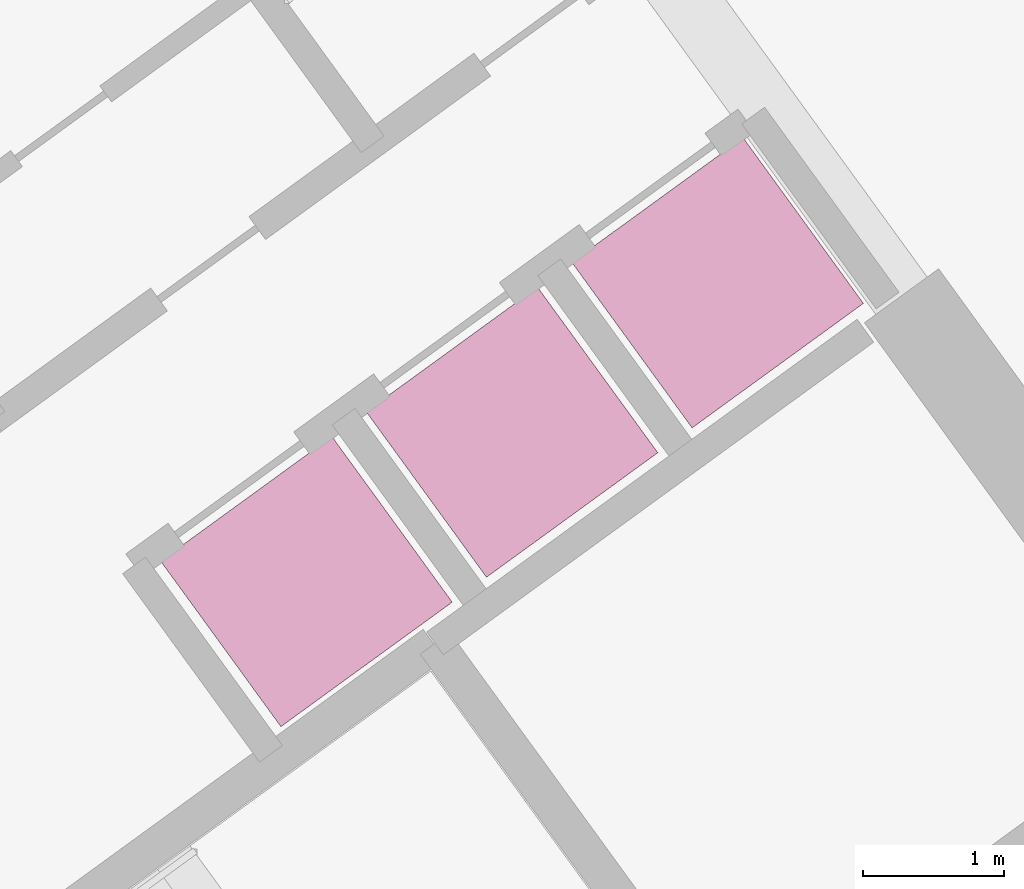
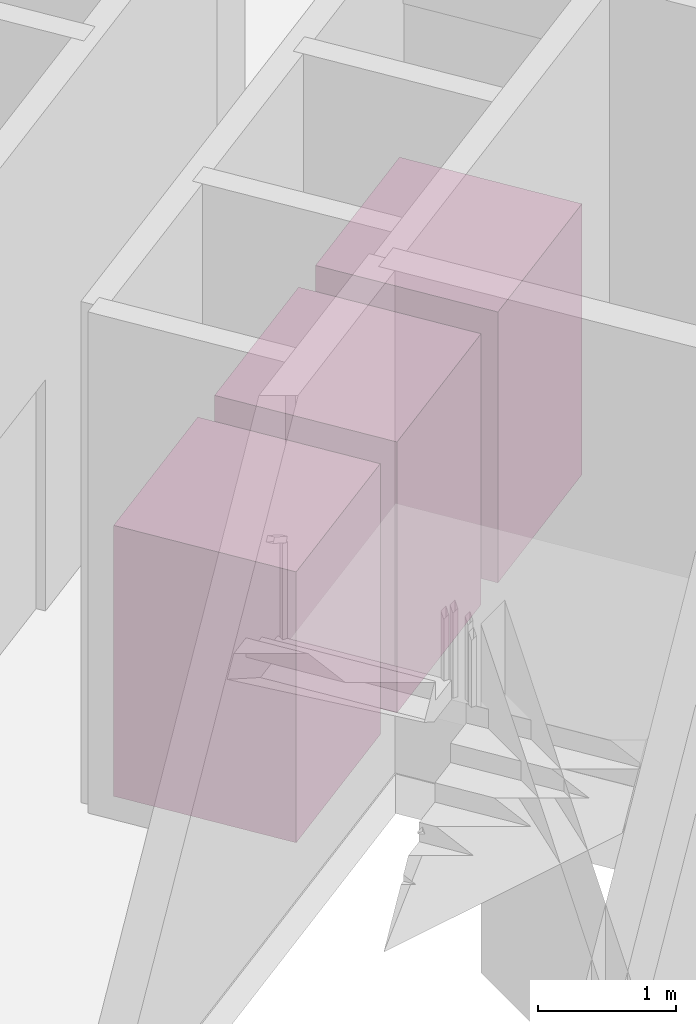
# One storey, part 9 of 9: 3 transport elements.
"""IFC4 building model written with IfcOpenShell, lengths in metres."""

from ifc_helpers import new_model, si_unit, direction, frame, origin, origin_2d, place, context, subcontext, project, spatial, rectangle, extrude, source, transform, mapped, material, type_object, element, save


model = new_model("IFC4")

# Units and contexts
model_context = context("Model", 3, precision=1e-05, world=origin(), true_north=direction((0.0, 1.0)))
body_context = subcontext(model_context, "Body", "Model", "MODEL_VIEW")
ifc_project = project(units=[si_unit("LENGTHUNIT", "METRE"), si_unit("AREAUNIT", "SQUARE_METRE"), si_unit("VOLUMEUNIT", "CUBIC_METRE"), si_unit("PLANEANGLEUNIT", "RADIAN"), si_unit("MASSUNIT", "GRAM", prefix="KILO")], contexts=[model_context])

# Site, building, storey
site_placement = place(None, origin())
site = spatial("IfcSite", under=ifc_project, at=site_placement, CompositionType="ELEMENT")
building_placement = place(site_placement, origin())
building = spatial("IfcBuilding", under=site, at=building_placement, Name="Tlacorven Tower", CompositionType="ELEMENT")
storey_placement = place(building_placement, frame((0.0, 0.0, -4.800048828125)))
storey = spatial("IfcBuildingStorey", under=building, at=storey_placement, Name="B1", CompositionType="ELEMENT", Elevation=-4.800048828125)

# Transport elements
ifc_material = material(Name="Brushed aluminium and steel lift cab", Category="steel")
transport_element_type = type_object("IfcTransportElementType", Name="LFT-PAS-LOW", PredefinedType="ELEVATOR", material=ifc_material)
shared_shape = source(origin(), body_context, "Body", "SweptSolid", [
    extrude(rectangle(XDim=1.5, YDim=1.449951171875, at=origin_2d()), origin(), (0.0, 0.0, 1.0), 2.39990234375),
])
for number, where, z_axis, x_axis, name in (
    (1, (55.6416015625, 21.32177734375, 0.0), (0.0, 0.0, 1.0), (0.809016994375, 0.587785252292, 0.0), "Low-Rise Passenger Lift L1"),
    (2, (57.09765625, 22.3798828125, 0.0), (0.0, 0.0, 1.0), (0.809016994375, 0.587785252292, 0.0), "Low-Rise Passenger Lift L2"),
    (3, (58.553955078125, 23.437744140625, 0.0), (0.0, 0.0, 1.0), (0.809016994375, 0.587785252292, 0.0), "Low-Rise Passenger Lift L3"),
):
    element("IfcTransportElement", number, at=place(storey_placement, frame(where, z_axis=z_axis, x_axis=x_axis)), inside=storey, type_object=transport_element_type, Name=name, PredefinedType="ELEVATOR", context=body_context, shape_type="MappedRepresentation", body=[
        mapped(shared_shape, transform((0.0, 0.0, 0.0), scale=1.0)),
    ])

save(model, "model.ifc")
